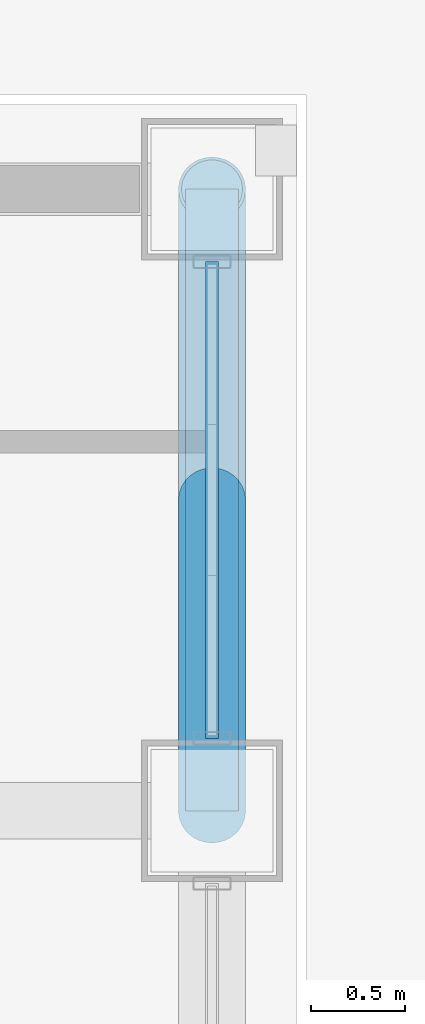
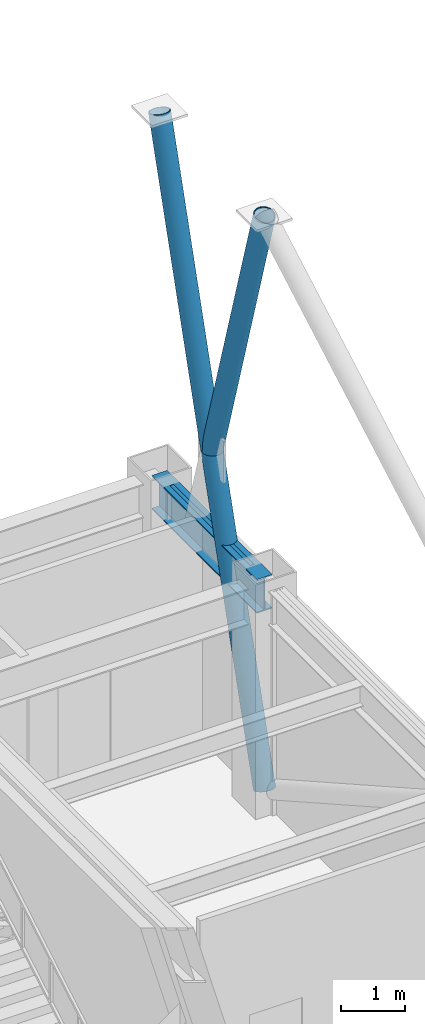
# One storey, part 15 of 24: 3 members, 1 beam, 1 element without a shape of its own.
"""IFC4 building model written with IfcOpenShell, lengths in metres."""

from ifc_helpers import new_model, si_unit, direction, frame, origin, origin_2d, place, context, subcontext, project, spatial, hollow_rectangle, hollow_circle, i_section, extrude, material, layer, layer_set, material_profile, profile_set, type_object, element, aggregate, save


model = new_model("IFC4")

# Units and contexts
model_context = context("Model", 3, precision=1e-05, world=origin(), true_north=direction((0.0, 1.0)))
body_context = subcontext(model_context, "Body", "Model", "MODEL_VIEW")
ifc_project = project(units=[si_unit("LENGTHUNIT", "METRE"), si_unit("AREAUNIT", "SQUARE_METRE"), si_unit("VOLUMEUNIT", "CUBIC_METRE"), si_unit("PLANEANGLEUNIT", "RADIAN"), si_unit("MASSUNIT", "GRAM", prefix="KILO")], contexts=[model_context])

# Site, building, storey
site_placement = place(None, origin())
site = spatial("IfcSite", under=ifc_project, at=site_placement, CompositionType="ELEMENT")
building_placement = place(site_placement, origin())
building = spatial("IfcBuilding", under=site, at=building_placement, Name="Brelmoor Portico Tower", CompositionType="ELEMENT")
storey_placement = place(building_placement, frame((0.0, 0.0, 150.60009765625)))
storey = spatial("IfcBuildingStorey", under=building, at=storey_placement, Name="L39", CompositionType="ELEMENT", Elevation=150.60009765625)

# Beam
ifc_material_1 = material(Name="Steel Q355B", Category="steel")
ifc_material_profile_1 = material_profile(ifc_material_1, i_section(OverallWidth=0.280029296875, OverallDepth=0.64990234375, WebThickness=0.012939453125, FlangeThickness=0.02197265625, at=origin_2d()), Name="HN 650x280x13x22")
ifc_profile_set_1 = profile_set([ifc_material_profile_1], Name="Steel Q355B")
beam_type = type_object("IfcBeamType", Name="BM-SP-650", PredefinedType="SPANDREL", material=ifc_profile_set_1)
beam_placement = place(storey_placement, frame((20.550048828125, 9.75, 3.974853515625), z_axis=(0.0, 1.0, 0.0), x_axis=(-1.0, 0.0, 0.0)))
element("IfcBeam", 1, at=beam_placement, inside=storey, type_object=beam_type, Name="L39 Perimeter Spandrel Beam SP-20", PredefinedType="SPANDREL", context=body_context, shape_type="SweptSolid", body=[
    extrude(i_section(OverallWidth=0.280029296875, OverallDepth=0.64990234375, WebThickness=0.012939453125, FlangeThickness=0.02197265625, at=origin_2d()), origin(), (0.0, 0.0, 1.0), 3.300048828125),
])

# Members
ifc_material_profile_2 = material_profile(ifc_material_1, hollow_circle(Radius=0.177978515625, WallThickness=0.01611328125, at=origin_2d()), Name="CHS 356x16")
ifc_profile_set_2 = profile_set([ifc_material_profile_2], Name="Steel Q355B")
member_type_1 = type_object("IfcMemberType", Name="MB-BELT-DIAG2", PredefinedType="BRACE", material=ifc_profile_set_2)
member_1_placement = place(storey_placement, frame((20.550048828125, 9.75, 0.25), z_axis=(0.0, 0.287351786215, 0.957825115018), x_axis=(-1.0, 0.0, 0.0)))
element("IfcMember", 2, at=member_1_placement, inside=storey, type_object=member_type_1, Name="L39 Continuous Mega-X Brace 090A", PredefinedType="BRACE", context=body_context, shape_type="SweptSolid", body=[
    extrude(hollow_circle(Radius=0.177978515625, WallThickness=0.01611328125, at=origin_2d()), origin(), (0.0, 0.0, 1.0), 11.484375),
])
member_2_placement = place(storey_placement, frame((20.550048828125, 11.39990234375, 5.75), z_axis=(0.0, -0.287332282829, 0.957830965904), x_axis=(1.0, 0.0, 0.0)))
element("IfcMember", 3, at=member_2_placement, inside=storey, type_object=member_type_1, Name="L39 Split Mega-X Brace 090B2", PredefinedType="BRACE", context=body_context, shape_type="SweptSolid", body=[
    extrude(hollow_circle(Radius=0.177978515625, WallThickness=0.01611328125, at=origin_2d()), origin(), (0.0, 0.0, 1.0), 5.7421875),
])

# Curtain wall, member
ifc_material_2 = material(Name="Anodised Aluminium Alloy 6063-T6", Category="aluminium")
ifc_layer = layer(ifc_material_2, 0.179931640625)
ifc_layer_set = layer_set([ifc_layer], Name="Anodised Aluminium Alloy 6063-T6")
curtain_wall_type = type_object("IfcCurtainWallType", Name="CW-SKYLOBBY-XB", PredefinedType="NOTDEFINED", material=ifc_layer_set)
curtain_wall_placement = place(storey_placement, origin())
curtain_wall = element("IfcCurtainWall", 4, at=curtain_wall_placement, inside=storey, type_object=curtain_wall_type, Name="L39 Curtain Wall CW-L39-04-3", PredefinedType="NOTDEFINED")
ifc_material_profile_3 = material_profile(ifc_material_2, hollow_rectangle(XDim=0.070068359375, YDim=0.159912109375, WallThickness=0.00390625, at=origin_2d()), Name="ALU TRANSOM 70x160")
ifc_profile_set_3 = profile_set([ifc_material_profile_3], Name="Anodised Aluminium Alloy 6063-T6")
member_type_2 = type_object("IfcMemberType", Name="MB-CW-TRAN-160", PredefinedType="USERDEFINED", material=ifc_profile_set_3)
member_3_placement = place(storey_placement, frame((20.550048828125, 10.135009765625, 4.219970703125), z_axis=(0.0, 1.0, 0.0), x_axis=(-1.0, 0.0, 0.0)))
member_3 = element("IfcMember", 5, at=member_3_placement, type_object=member_type_2, Name="CW-L39-04-3 Transom 1-00", ObjectType="TRANSOM", PredefinedType="USERDEFINED", context=body_context, shape_type="SweptSolid", body=[
    extrude(hollow_rectangle(XDim=0.070068359375, YDim=0.159912109375, WallThickness=0.00390625, at=origin_2d()), origin(), (0.0, 0.0, 1.0), 2.530029296875),
])
aggregate(curtain_wall, [member_3])

save(model, "model.ifc")
